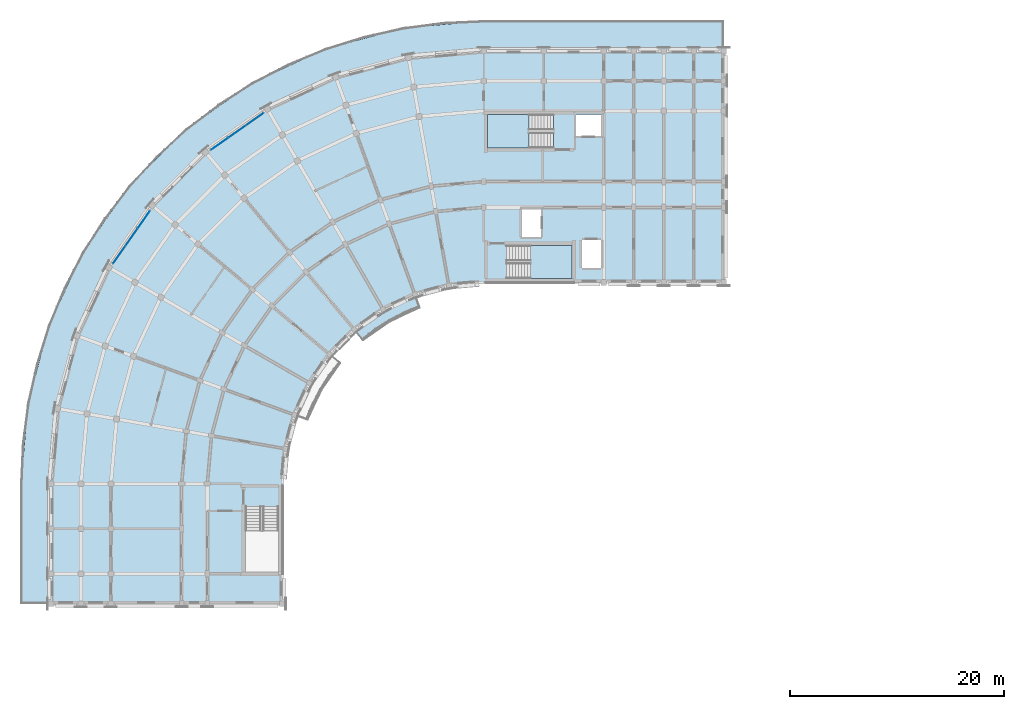
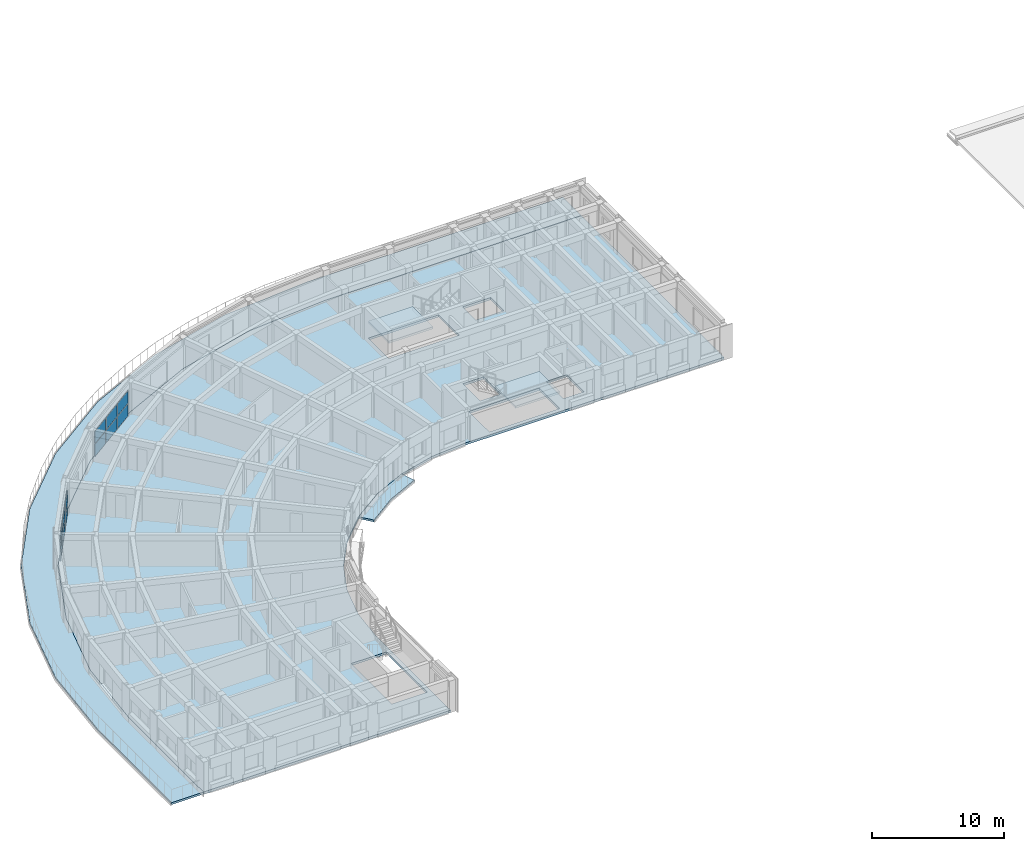
# One storey, part 6 of 23: 12 plates, 5 slabs, 4 elements without a shape of their own.
"""IFC4 building model written with IfcOpenShell, lengths in metres."""

import ifcopenshell
import ifcopenshell.guid

model = None  # the IFC model being written
_history = None  # IfcOwnerHistory: only IFC2X3 demands one
_inside = {}  # id of a spatial element -> (the spatial element, [elements in it])
_under = {}  # id of a project, library or spatial element -> (it, [spatial elements below it])
_declared = {}  # id of a project -> (the project, [libraries it declares])
_typed = {}  # id of a type object -> (the type object, [elements of that type])
_made_of = {}  # id of a material, layer set ... -> (it, [elements and type objects made of it])


def new_model(schema):
    """Start an empty IFC model of exactly this schema.

    Asked for "IFC4X3", IfcOpenShell would pick the latest addendum, in which some entities
    have other attributes; the version numbers below select the first issue.
    IFC2X3 requires an IfcOwnerHistory on every rooted entity: one is made here for all.
    """
    global model, _history
    if schema == "IFC4X3":
        model = ifcopenshell.file(schema_version=(4, 3, 0, 0))
    else:
        model = ifcopenshell.file(schema=schema)
    _inside.clear()
    _under.clear()
    _declared.clear()
    _typed.clear()
    _made_of.clear()
    _history = None
    if model.schema == "IFC2X3":
        org = make("IfcOrganization", Name="unknown")
        user = make(
            "IfcPersonAndOrganization",
            ThePerson=make("IfcPerson", FamilyName="unknown"),
            TheOrganization=org,
        )
        app = make(
            "IfcApplication",
            ApplicationDeveloper=org,
            Version="unknown",
            ApplicationFullName="unknown",
            ApplicationIdentifier="unknown",
        )
        _history = make(
            "IfcOwnerHistory",
            OwningUser=user,
            OwningApplication=app,
            ChangeAction="ADDED",
            CreationDate=0,
        )
    return model


def make(cls, **values):
    """One entity of the class cls with the attributes given. An attribute that is None is left unset."""
    return model.create_entity(
        cls, **{name: value for name, value in values.items() if value is not None}
    )


def rooted(cls, **values):
    """An entity with a GlobalId (a new one), such as an element, a storey or a relation."""
    return make(cls, GlobalId=ifcopenshell.guid.new(), OwnerHistory=_history, **values)


def si_unit(unit_type, name, prefix=None):
    """IfcSIUnit, for example si_unit("LENGTHUNIT", "METRE", prefix="MILLI")."""
    return make("IfcSIUnit", UnitType=unit_type, Prefix=prefix, Name=name)


def assignment(units):
    """IfcUnitAssignment: the units of a project."""
    return None if units is None else make("IfcUnitAssignment", Units=units)


def point(xyz):
    """IfcCartesianPoint."""
    return None if xyz is None else make("IfcCartesianPoint", Coordinates=xyz)


def direction(xyz):
    """IfcDirection."""
    return None if xyz is None else make("IfcDirection", DirectionRatios=xyz)


def frame(location, z_axis=None, x_axis=None):
    """IfcAxis2Placement3D, a coordinate frame: its origin and axes. An axis left out is left unset."""
    return make(
        "IfcAxis2Placement3D",
        Location=point(location),
        Axis=direction(z_axis),
        RefDirection=direction(x_axis),
    )


def frame_2d(location, x_axis=None):
    """IfcAxis2Placement2D, a coordinate frame in the plane: its origin and x axis."""
    return make(
        "IfcAxis2Placement2D", Location=point(location), RefDirection=direction(x_axis)
    )


def origin():
    """The frame at (0, 0, 0) with its axes left unset."""
    return frame((0.0, 0.0, 0.0))


def origin_2d():
    """The frame at (0, 0) in the plane with its x axis left unset."""
    return frame_2d((0.0, 0.0))


def place(relative_to, where):
    """IfcLocalPlacement: puts the frame where relative to a parent placement (None: the world)."""
    return make(
        "IfcLocalPlacement", PlacementRelTo=relative_to, RelativePlacement=where
    )


def context(
    kind, dimensions, precision=None, world=None, true_north=None, identifier=None
):
    """IfcGeometricRepresentationContext, for example the 3D "Model" context."""
    return make(
        "IfcGeometricRepresentationContext",
        ContextIdentifier=identifier,
        ContextType=kind,
        CoordinateSpaceDimension=dimensions,
        Precision=precision,
        WorldCoordinateSystem=world,
        TrueNorth=true_north,
    )


def subcontext(parent, identifier, kind, view, scale=None):
    """IfcGeometricRepresentationSubContext, for example "Body" below "Model"."""
    return make(
        "IfcGeometricRepresentationSubContext",
        ContextIdentifier=identifier,
        ContextType=kind,
        ParentContext=parent,
        TargetScale=scale,
        TargetView=view,
    )


def project(units=None, contexts=None):
    """IfcProject with its units and contexts."""
    return rooted(
        "IfcProject",
        Name="project",
        RepresentationContexts=contexts,
        UnitsInContext=assignment(units),
    )


def spatial(cls, under=None, at=None, **own):
    """A site, building, storey or space (cls), placed at a placement, below another one or the project."""
    s = rooted(cls, ObjectPlacement=at, **own)
    if under is not None:
        _under.setdefault(under.id(), (under, []))[1].append(s)
    return s


def polyline(points):
    """IfcPolyline through the points."""
    return make("IfcPolyline", Points=[point(p) for p in points])


def profile(cls, at=None, kind="AREA", **sizes):
    """A parametric profile (cls). Its sizes go by their IFC names, for example OverallWidth=200.0."""
    return make(cls, ProfileType=kind, Position=at, **sizes)


def rectangle(**sizes):
    """IfcRectangleProfileDef."""
    return profile("IfcRectangleProfileDef", **sizes)


def outline(outer, holes=None, kind="AREA"):
    """IfcArbitraryClosedProfileDef: a profile drawn as a closed curve; with holes, ...WithVoids."""
    if holes is None:
        return make("IfcArbitraryClosedProfileDef", ProfileType=kind, OuterCurve=outer)
    return make(
        "IfcArbitraryProfileDefWithVoids",
        ProfileType=kind,
        OuterCurve=outer,
        InnerCurves=holes,
    )


def extrude(swept, where, along, depth):
    """IfcExtrudedAreaSolid: the profile swept, set in the frame where, extruded along a direction by depth."""
    return make(
        "IfcExtrudedAreaSolid",
        SweptArea=swept,
        Position=where,
        ExtrudedDirection=direction(along),
        Depth=depth,
    )


def shape(context_of_items, identifier, shape_type, items):
    """IfcShapeRepresentation: the items that make up one representation, for example the "Body"."""
    return make(
        "IfcShapeRepresentation",
        ContextOfItems=context_of_items,
        RepresentationIdentifier=identifier,
        RepresentationType=shape_type,
        Items=items,
    )


def material(Name=None, Category=None):
    """IfcMaterial."""
    return make("IfcMaterial", Name=Name, Category=Category)


def layer(
    of_material, thickness, ventilated=None, Name=None, Category=None, Priority=None
):
    """IfcMaterialLayer: one layer of a wall or slab, of a material (None: an air gap)."""
    return make(
        "IfcMaterialLayer",
        Material=of_material,
        LayerThickness=thickness,
        IsVentilated=ventilated,
        Name=Name,
        Category=Category,
        Priority=Priority,
    )


def layer_set(layers, Name=None):
    """IfcMaterialLayerSet."""
    return make("IfcMaterialLayerSet", MaterialLayers=layers, LayerSetName=Name)


def made_of(thing, what):
    """Note that an element or type object is made of a material, layer set ...; save() writes the relation."""
    if what is not None:
        _made_of.setdefault(what.id(), (what, []))[1].append(thing)
    return thing


def type_object(cls, material=None, **own):
    """A type object (cls), such as IfcWallType, which elements share."""
    return made_of(rooted(cls, **own), material)


def element(
    cls,
    number,
    at=None,
    inside=None,
    cuts=None,
    type_object=None,
    material=None,
    context=None,
    identifier="Body",
    shape_type=None,
    held_by="IfcProductDefinitionShape",
    body=None,
    shapes=None,
    **own,
):
    """One element of the class cls, such as IfcWall. Its Tag is "e" and its number.

    at: its placement. inside: the storey or other place that contains it. cuts: it is an
    opening in that element (IfcRelVoidsElement). A single representation is given by context,
    identifier, shape_type and body (its items); several are given by shapes. held_by: the class
    of the entity that holds the representations. save() writes the other relations.
    """
    e = rooted(cls, Tag="e%d" % number, ObjectPlacement=at, **own)
    if body is not None:
        shapes = [shape(context, identifier, shape_type, body)]
    if shapes is not None:
        e.Representation = make(held_by, Representations=shapes)
    if inside is not None:
        _inside.setdefault(inside.id(), (inside, []))[1].append(e)
    if cuts is not None:
        rooted(
            "IfcRelVoidsElement", RelatingBuildingElement=cuts, RelatedOpeningElement=e
        )
    if type_object is not None:
        _typed.setdefault(type_object.id(), (type_object, []))[1].append(e)
    return made_of(e, material)


def aggregate(whole, parts):
    """IfcRelAggregates: a whole, such as a stair, and the parts it consists of."""
    return rooted("IfcRelAggregates", RelatingObject=whole, RelatedObjects=parts)


def save(model, path):
    """Write the relations noted so far, then the file.

    IfcRelAggregates (storeys below a building ...), IfcRelContainedInSpatialStructure (elements
    in a storey), IfcRelDefinesByType, IfcRelAssociatesMaterial and IfcRelDeclares: one each for
    every whole, place, type object, material and project.
    """
    for whole, parts in _under.values():
        aggregate(whole, parts)
    for where, things in _inside.values():
        rooted(
            "IfcRelContainedInSpatialStructure",
            RelatedElements=things,
            RelatingStructure=where,
        )
    for kind, things in _typed.values():
        rooted("IfcRelDefinesByType", RelatedObjects=things, RelatingType=kind)
    for what, things in _made_of.values():
        rooted("IfcRelAssociatesMaterial", RelatedObjects=things, RelatingMaterial=what)
    for by, libraries in _declared.values():
        rooted("IfcRelDeclares", RelatingContext=by, RelatedDefinitions=libraries)
    model.write(path)


model = new_model("IFC4")

# Units and contexts
model_context = context("Model", 3, precision=1e-05, world=origin(), true_north=direction((0.0, 1.0)))
body_context = subcontext(model_context, "Body", "Model", "MODEL_VIEW")
ifc_project = project(units=[si_unit("LENGTHUNIT", "METRE"), si_unit("AREAUNIT", "SQUARE_METRE"), si_unit("VOLUMEUNIT", "CUBIC_METRE"), si_unit("PLANEANGLEUNIT", "RADIAN"), si_unit("MASSUNIT", "GRAM", prefix="KILO")], contexts=[model_context])

# Site, building, storey
site_placement = place(None, origin())
site = spatial("IfcSite", under=ifc_project, at=site_placement, CompositionType="ELEMENT")
building_placement = place(site_placement, origin())
building = spatial("IfcBuilding", under=site, at=building_placement, Name="Kiranvali Square Residences", CompositionType="ELEMENT")
storey_placement = place(building_placement, frame((0.0, 0.0, 43.35009765625)))
storey = spatial("IfcBuildingStorey", under=building, at=storey_placement, Name="L13", CompositionType="ELEMENT", Elevation=43.35009765625)

# Curtain wall, plates
ifc_material_1 = material(Name="Anodised bronze aluminium framing", Category="aluminium")
curtain_wall_type = type_object("IfcCurtainWallType", Name="CW-RES-LOG", PredefinedType="USERDEFINED", material=ifc_material_1)
curtain_wall_1_placement = place(storey_placement, origin())
curtain_wall_1 = element("IfcCurtainWall", 1, at=curtain_wall_1_placement, inside=storey, type_object=curtain_wall_type, Name="Block A L13 stepped curved terrace loggia 4", ObjectType="CURTAIN WALL", PredefinedType="USERDEFINED")
ifc_material_2 = material(Name="Solar-control low-e double glazing", Category="glass")
ifc_layer_1 = layer(ifc_material_2, 0.028076171875)
ifc_layer_set_1 = layer_set([ifc_layer_1], Name="Solar-control low-e double glazing")
plate_type = type_object("IfcPlateType", Name="PLT-CW-GLZ", PredefinedType="CURTAIN_PANEL", material=ifc_layer_set_1)
plate_1_placement = place(storey_placement, frame((26.828857421875, 121.82080078125, 0.079833984375), z_axis=(0.0, 0.0, 1.0), x_axis=(-0.819152044289, -0.573576436351, 0.0)))
plate_1 = element("IfcPlate", 2, at=plate_1_placement, type_object=plate_type, Name="CW-A-L13-TER-03 glazed panel 1.1", PredefinedType="CURTAIN_PANEL", context=body_context, shape_type="SweptSolid", body=[
    extrude(rectangle(XDim=1.927490234375, YDim=0.028076171875, at=origin_2d()), origin(), (0.0, 0.0, 1.0), 1.1201171875),
])
plate_2_placement = place(storey_placement, frame((26.828857421875, 121.82080078125, 1.27978515625), z_axis=(0.0, 0.0, 1.0), x_axis=(-0.819152044289, -0.573576436351, 0.0)))
plate_2 = element("IfcPlate", 3, at=plate_2_placement, type_object=plate_type, Name="CW-A-L13-TER-03 glazed panel 1.2", PredefinedType="CURTAIN_PANEL", context=body_context, shape_type="SweptSolid", body=[
    extrude(rectangle(XDim=1.927490234375, YDim=0.028076171875, at=origin_2d()), origin(), (0.0, 0.0, 1.0), 1.1201171875),
])
plate_3_placement = place(storey_placement, frame((25.1845703125, 120.66943359375, 0.079833984375), z_axis=(0.0, 0.0, 1.0), x_axis=(-0.819152044289, -0.573576436351, 0.0)))
plate_3 = element("IfcPlate", 4, at=plate_3_placement, type_object=plate_type, Name="CW-A-L13-TER-03 glazed panel 2.1", PredefinedType="CURTAIN_PANEL", context=body_context, shape_type="SweptSolid", body=[
    extrude(rectangle(XDim=1.927490234375, YDim=0.028076171875, at=origin_2d()), origin(), (0.0, 0.0, 1.0), 1.1201171875),
])
plate_4_placement = place(storey_placement, frame((25.1845703125, 120.66943359375, 1.27978515625), z_axis=(0.0, 0.0, 1.0), x_axis=(-0.819152044289, -0.573576436351, 0.0)))
plate_4 = element("IfcPlate", 5, at=plate_4_placement, type_object=plate_type, Name="CW-A-L13-TER-03 glazed panel 2.2", PredefinedType="CURTAIN_PANEL", context=body_context, shape_type="SweptSolid", body=[
    extrude(rectangle(XDim=1.927490234375, YDim=0.028076171875, at=origin_2d()), origin(), (0.0, 0.0, 1.0), 1.1201171875),
])
plate_5_placement = place(storey_placement, frame((23.5400390625, 119.51806640625, 0.079833984375), z_axis=(0.0, 0.0, 1.0), x_axis=(-0.819152044289, -0.573576436351, 0.0)))
plate_5 = element("IfcPlate", 6, at=plate_5_placement, type_object=plate_type, Name="CW-A-L13-TER-03 glazed panel 3.1", PredefinedType="CURTAIN_PANEL", context=body_context, shape_type="SweptSolid", body=[
    extrude(rectangle(XDim=1.927490234375, YDim=0.028076171875, at=origin_2d()), origin(), (0.0, 0.0, 1.0), 1.1201171875),
])
plate_6_placement = place(storey_placement, frame((23.5400390625, 119.51806640625, 1.27978515625), z_axis=(0.0, 0.0, 1.0), x_axis=(-0.819152044289, -0.573576436351, 0.0)))
plate_6 = element("IfcPlate", 7, at=plate_6_placement, type_object=plate_type, Name="CW-A-L13-TER-03 glazed panel 3.2", PredefinedType="CURTAIN_PANEL", context=body_context, shape_type="SweptSolid", body=[
    extrude(rectangle(XDim=1.927490234375, YDim=0.028076171875, at=origin_2d()), origin(), (0.0, 0.0, 1.0), 1.1201171875),
])
aggregate(curtain_wall_1, [plate_1, plate_2, plate_3, plate_4, plate_5, plate_6])

curtain_wall_2_placement = place(storey_placement, origin())
curtain_wall_2 = element("IfcCurtainWall", 8, at=curtain_wall_2_placement, inside=storey, type_object=curtain_wall_type, Name="Block A L13 stepped curved terrace loggia 6", ObjectType="CURTAIN WALL", PredefinedType="USERDEFINED")
plate_7_placement = place(storey_placement, frame((16.48193359375, 112.4599609375, 0.079833984375), z_axis=(0.0, 0.0, 1.0), x_axis=(-0.573576436351, -0.819152044289, 0.0)))
plate_7 = element("IfcPlate", 9, at=plate_7_placement, type_object=plate_type, Name="CW-A-L13-TER-05 glazed panel 1.1", PredefinedType="CURTAIN_PANEL", context=body_context, shape_type="SweptSolid", body=[
    extrude(rectangle(XDim=1.927490234375, YDim=0.028076171875, at=origin_2d()), origin(), (0.0, 0.0, 1.0), 1.1201171875),
])
plate_8_placement = place(storey_placement, frame((16.48193359375, 112.4599609375, 1.27978515625), z_axis=(0.0, 0.0, 1.0), x_axis=(-0.573576436351, -0.819152044289, 0.0)))
plate_8 = element("IfcPlate", 10, at=plate_8_placement, type_object=plate_type, Name="CW-A-L13-TER-05 glazed panel 1.2", PredefinedType="CURTAIN_PANEL", context=body_context, shape_type="SweptSolid", body=[
    extrude(rectangle(XDim=1.927490234375, YDim=0.028076171875, at=origin_2d()), origin(), (0.0, 0.0, 1.0), 1.1201171875),
])
plate_9_placement = place(storey_placement, frame((15.33056640625, 110.8154296875, 0.079833984375), z_axis=(0.0, 0.0, 1.0), x_axis=(-0.573576436351, -0.819152044289, 0.0)))
plate_9 = element("IfcPlate", 11, at=plate_9_placement, type_object=plate_type, Name="CW-A-L13-TER-05 glazed panel 2.1", PredefinedType="CURTAIN_PANEL", context=body_context, shape_type="SweptSolid", body=[
    extrude(rectangle(XDim=1.927490234375, YDim=0.028076171875, at=origin_2d()), origin(), (0.0, 0.0, 1.0), 1.1201171875),
])
plate_10_placement = place(storey_placement, frame((15.33056640625, 110.8154296875, 1.27978515625), z_axis=(0.0, 0.0, 1.0), x_axis=(-0.573576436351, -0.819152044289, 0.0)))
plate_10 = element("IfcPlate", 12, at=plate_10_placement, type_object=plate_type, Name="CW-A-L13-TER-05 glazed panel 2.2", PredefinedType="CURTAIN_PANEL", context=body_context, shape_type="SweptSolid", body=[
    extrude(rectangle(XDim=1.927490234375, YDim=0.028076171875, at=origin_2d()), origin(), (0.0, 0.0, 1.0), 1.1201171875),
])
plate_11_placement = place(storey_placement, frame((14.17919921875, 109.171142578125, 0.079833984375), z_axis=(0.0, 0.0, 1.0), x_axis=(-0.573576436351, -0.819152044289, 0.0)))
plate_11 = element("IfcPlate", 13, at=plate_11_placement, type_object=plate_type, Name="CW-A-L13-TER-05 glazed panel 3.1", PredefinedType="CURTAIN_PANEL", context=body_context, shape_type="SweptSolid", body=[
    extrude(rectangle(XDim=1.927490234375, YDim=0.028076171875, at=origin_2d()), origin(), (0.0, 0.0, 1.0), 1.1201171875),
])
plate_12_placement = place(storey_placement, frame((14.17919921875, 109.171142578125, 1.27978515625), z_axis=(0.0, 0.0, 1.0), x_axis=(-0.573576436351, -0.819152044289, 0.0)))
plate_12 = element("IfcPlate", 14, at=plate_12_placement, type_object=plate_type, Name="CW-A-L13-TER-05 glazed panel 3.2", PredefinedType="CURTAIN_PANEL", context=body_context, shape_type="SweptSolid", body=[
    extrude(rectangle(XDim=1.927490234375, YDim=0.028076171875, at=origin_2d()), origin(), (0.0, 0.0, 1.0), 1.1201171875),
])
aggregate(curtain_wall_2, [plate_7, plate_8, plate_9, plate_10, plate_11, plate_12])

# Slabs
ifc_material_3 = material(Name="Concrete M35 (35 MPa)", Category="concrete")
ifc_layer_2 = layer(ifc_material_3, 0.2099609375)
ifc_layer_set_2 = layer_set([ifc_layer_2], Name="Concrete M35 (35 MPa)")
slab_type_1 = type_object("IfcSlabType", Name="SLB-FLR-210", PredefinedType="FLOOR", material=ifc_layer_set_2)
slab_1_placement = place(storey_placement, frame((0.0, 0.0, -0.210205078125)))
element("IfcSlab", 15, at=slab_1_placement, inside=storey, type_object=slab_type_1, Name="Block A L13 structural floor slab", PredefinedType="FLOOR", context=body_context, shape_type="SweptSolid", body=[
    extrude(outline(polyline([(70.60009765625, 106.60009765625), (70.60009765625, 128.199951171875), (48.199951171875, 128.199951171875), (41.1845703125, 127.586181640625), (34.38232421875, 125.763671875), (28.0, 122.787353515625), (22.2314453125, 118.748291015625), (17.251708984375, 113.7685546875), (13.212646484375, 108.0), (10.236328125, 101.61767578125), (8.413818359375, 94.8154296875), (7.800048828125, 87.800048828125), (7.800048828125, 76.60009765625), (29.39990234375, 76.60009765625), (29.39990234375, 87.800048828125), (29.685546875, 91.064697265625), (30.53369140625, 94.22998046875), (31.918701171875, 97.199951171875), (33.79833984375, 99.884521484375), (36.115478515625, 102.20166015625), (38.800048828125, 104.081298828125), (41.77001953125, 105.46630859375), (44.935302734375, 106.314453125), (48.199951171875, 106.60009765625), (70.60009765625, 106.60009765625)]), holes=[polyline([(56.800048828125, 120.25), (59.25, 120.25), (59.25, 122.25), (56.800048828125, 122.25), (56.800048828125, 120.25)]), polyline([(57.35009765625, 107.949951171875), (59.14990234375, 107.949951171875), (59.14990234375, 110.550048828125), (57.35009765625, 110.550048828125), (57.35009765625, 107.949951171875)]), polyline([(51.75, 110.85009765625), (53.550048828125, 110.85009765625), (53.550048828125, 113.449951171875), (51.75, 113.449951171875), (51.75, 110.85009765625)]), polyline([(54.699951171875, 122.25), (48.550048828125, 122.25), (48.550048828125, 119.14990234375), (54.699951171875, 119.14990234375), (54.699951171875, 122.25)]), polyline([(50.300048828125, 106.949951171875), (56.449951171875, 106.949951171875), (56.449951171875, 110.050048828125), (50.300048828125, 110.050048828125), (50.300048828125, 106.949951171875)]), polyline([(25.949951171875, 85.699951171875), (25.949951171875, 79.550048828125), (29.050048828125, 79.550048828125), (29.050048828125, 85.699951171875), (25.949951171875, 85.699951171875)])]), origin(), (0.0, 0.0, 1.0), 0.210205078125),
])
ifc_layer_3 = layer(ifc_material_3, 0.169921875)
ifc_layer_set_3 = layer_set([ifc_layer_3], Name="Concrete M35 (35 MPa)")
slab_type_2 = type_object("IfcSlabType", Name="SLB-GBAL-170", PredefinedType="FLOOR", material=ifc_layer_set_3)
slab_2_placement = place(storey_placement, frame((0.0, 0.0, -0.18017578125)))
element("IfcSlab", 16, at=slab_2_placement, inside=storey, type_object=slab_type_2, Name="Block A L13 garden balcony slab 1", PredefinedType="FLOOR", context=body_context, shape_type="SweptSolid", body=[
    extrude(outline(polyline([(41.77001953125, 105.46630859375), (38.800048828125, 104.081298828125), (36.115478515625, 102.20166015625), (36.919189453125, 101.244140625), (39.425048828125, 102.998779296875), (42.197509765625, 104.29150390625), (41.77001953125, 105.46630859375)])), origin(), (0.0, 0.0, 1.0), 0.18017578125),
])

# Stair, slab
stair_type = type_object("IfcStairType", Name="ST-CORE-1700", PredefinedType="HALF_TURN_STAIR", material=ifc_material_3)
stair_1_placement = place(storey_placement, origin())
stair_1 = element("IfcStair", 17, at=stair_1_placement, inside=storey, type_object=stair_type, Name="L13 Block A Firefighting Exit Stair 1", PredefinedType="HALF_TURN_STAIR")
ifc_layer_4 = layer(ifc_material_3, 0.199951171875)
ifc_layer_set_4 = layer_set([ifc_layer_4], Name="Concrete M35 (35 MPa)")
slab_type_3 = type_object("IfcSlabType", Name="SLB-LND-200", PredefinedType="LANDING", material=ifc_layer_set_4)
slab_3_placement = place(storey_placement, frame((0.0, 0.0, 1.375)))
slab_3 = element("IfcSlab", 18, at=slab_3_placement, type_object=slab_type_3, Name="ST-A1 landing 1", PredefinedType="LANDING", context=body_context, shape_type="SweptSolid", body=[
    extrude(outline(polyline([(52.419921875, 122.25), (48.550048828125, 122.25), (48.550048828125, 119.14990234375), (52.419921875, 119.14990234375), (52.419921875, 122.25)])), origin(), (0.0, 0.0, 1.0), 0.199951171875),
])
aggregate(stair_1, [slab_3])

stair_2_placement = place(storey_placement, origin())
stair_2 = element("IfcStair", 19, at=stair_2_placement, inside=storey, type_object=stair_type, Name="L13 Block A Protected Exit Stair 2", PredefinedType="HALF_TURN_STAIR")
slab_4_placement = place(storey_placement, frame((0.0, 0.0, 1.375)))
slab_4 = element("IfcSlab", 20, at=slab_4_placement, type_object=slab_type_3, Name="ST-A2 landing 1", PredefinedType="LANDING", context=body_context, shape_type="SweptSolid", body=[
    extrude(outline(polyline([(52.580078125, 106.949951171875), (56.449951171875, 106.949951171875), (56.449951171875, 110.050048828125), (52.580078125, 110.050048828125), (52.580078125, 106.949951171875)])), origin(), (0.0, 0.0, 1.0), 0.199951171875),
])
aggregate(stair_2, [slab_4])

# Slab
ifc_layer_5 = layer(ifc_material_3, 0.18994140625)
ifc_layer_set_5 = layer_set([ifc_layer_5], Name="Concrete M35 (35 MPa)")
slab_type_4 = type_object("IfcSlabType", Name="SLB-TER-190", PredefinedType="FLOOR", material=ifc_layer_set_5)
slab_5_placement = place(storey_placement, frame((0.0, 0.0, -0.18017578125)))
element("IfcSlab", 21, at=slab_5_placement, inside=storey, type_object=slab_type_4, Name="Block A L13 curved high-rise refuge terrace slab", PredefinedType="FLOOR", context=body_context, shape_type="SweptSolid", body=[
    extrude(outline(polyline([(70.60009765625, 131.0), (48.199951171875, 131.0), (40.698486328125, 130.34375), (33.4248046875, 128.394775390625), (26.60009765625, 125.21240234375), (20.431640625, 120.89306640625), (15.10693359375, 115.568359375), (10.78759765625, 109.39990234375), (7.605224609375, 102.5751953125), (5.65625, 95.301513671875), (5.0, 87.800048828125), (5.0, 76.60009765625), (7.800048828125, 76.60009765625), (7.800048828125, 87.800048828125), (8.413818359375, 94.8154296875), (10.236328125, 101.61767578125), (13.212646484375, 108.0), (17.251708984375, 113.7685546875), (22.2314453125, 118.748291015625), (28.0, 122.787353515625), (34.38232421875, 125.763671875), (41.1845703125, 127.586181640625), (48.199951171875, 128.199951171875), (70.60009765625, 128.199951171875), (70.60009765625, 131.0)])), origin(), (0.0, 0.0, 1.0), 0.18017578125),
])

save(model, "model.ifc")
